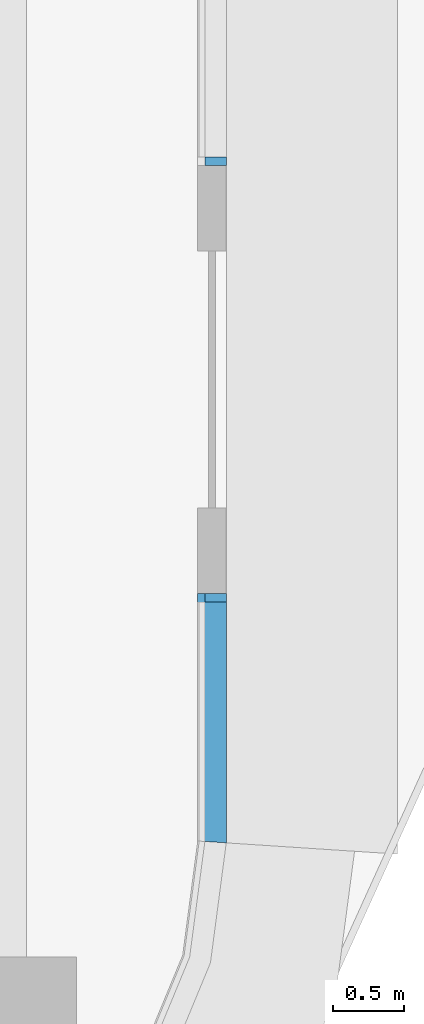
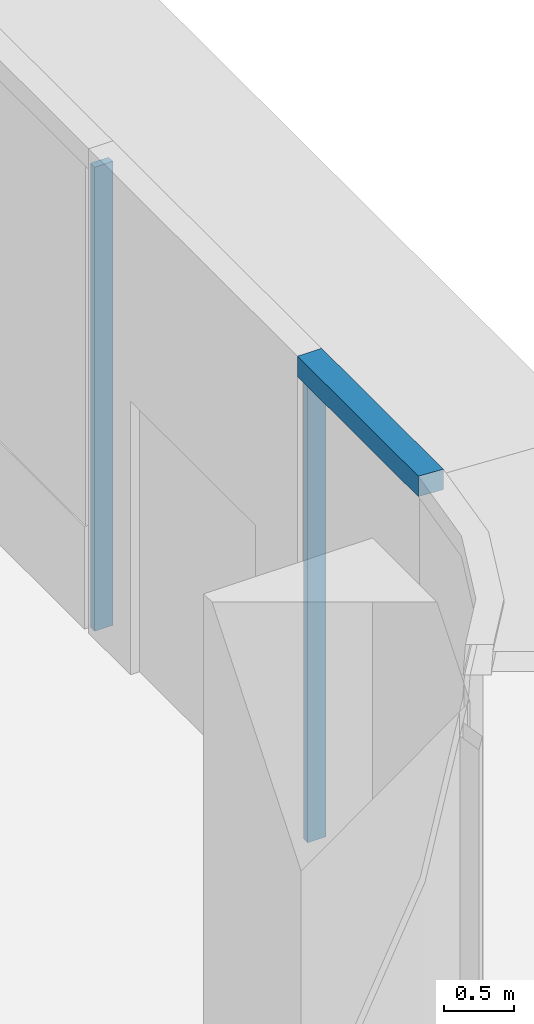
# One storey, part 13 of 22: 3 members, 2 elements without a shape of their own.
"""IFC4 building model written with IfcOpenShell, lengths in metres."""

from ifc_helpers import new_model, si_unit, direction, frame, origin, origin_2d, place, context, subcontext, project, spatial, polyline, rectangle, outline, extrude, source, transform, mapped, material, layer, layer_set, material_profile, profile_set, type_object, element, aggregate, save


model = new_model("IFC4")

# Units and contexts
model_context = context("Model", 3, precision=1e-05, world=origin(), true_north=direction((0.0, 1.0)))
body_context = subcontext(model_context, "Body", "Model", "MODEL_VIEW")
ifc_project = project(units=[si_unit("LENGTHUNIT", "METRE"), si_unit("AREAUNIT", "SQUARE_METRE"), si_unit("VOLUMEUNIT", "CUBIC_METRE"), si_unit("PLANEANGLEUNIT", "RADIAN"), si_unit("MASSUNIT", "GRAM", prefix="KILO")], contexts=[model_context])

# Site, building, storey
site_placement = place(None, origin())
site = spatial("IfcSite", under=ifc_project, at=site_placement, CompositionType="ELEMENT")
building_placement = place(site_placement, origin())
building = spatial("IfcBuilding", under=site, at=building_placement, Name="Trellis Farm Tower", CompositionType="ELEMENT")
storey_placement = place(building_placement, frame((0.0, 0.0, 38.5)))
storey = spatial("IfcBuildingStorey", under=building, at=storey_placement, Name="L07", CompositionType="ELEMENT", Elevation=38.5)

# Curtain wall, member
ifc_material_1 = material(Name="Aluminium and glass curtain wall", Category="aluminium")
ifc_layer_1 = layer(ifc_material_1, 0.18994140625)
ifc_layer_set_1 = layer_set([ifc_layer_1], Name="RIBBON CURTAIN WALL CW1")
curtain_wall_type = type_object("IfcCurtainWallType", Name="RIBBON CURTAIN WALL CW1", PredefinedType="NOTDEFINED", material=ifc_layer_set_1)
placement = place(storey_placement, origin())
curtain_wall_1 = element("IfcCurtainWall", 1, at=placement, inside=storey, type_object=curtain_wall_type, Name="CW1 006", PredefinedType="NOTDEFINED")
ifc_material_2 = material(Name="Aluminium extrusion 6063-T6", Category="aluminium")
ifc_material_profile = material_profile(ifc_material_2, rectangle(XDim=0.06005859375, YDim=0.14990234375, at=origin_2d()), Name="MULLION 60x150")
ifc_profile_set = profile_set([ifc_material_profile], Name="Aluminium extrusion 6063-T6")
member_type_1 = type_object("IfcMemberType", Name="CW1 MULLION 60x150", PredefinedType="MULLION", material=ifc_profile_set)
shared_shape_1 = source(origin(), body_context, "Body", "SweptSolid", [
    extrude(rectangle(XDim=0.06005859375, YDim=0.14990234375, at=origin_2d()), origin(), (0.0, 0.0, 1.0), 4.070068359375),
])
member_1_placement = place(storey_placement, frame((32.425048828125, -1.530029296875, 0.0), z_axis=(0.0, 0.0, 1.0), x_axis=(0.0, 1.0, 0.0)))
member_1 = element("IfcMember", 2, at=member_1_placement, type_object=member_type_1, Name="MU1 006-01", PredefinedType="MULLION", context=body_context, shape_type="MappedRepresentation", body=[
    mapped(shared_shape_1, transform((0.0, 0.0, 0.0))),
])

curtain_wall_2 = element("IfcCurtainWall", 3, at=placement, inside=storey, type_object=curtain_wall_type, Name="CW1 007", PredefinedType="NOTDEFINED")
member_2_placement = place(storey_placement, frame((32.425048828125, 1.530029296875, 0.0), z_axis=(0.0, 0.0, 1.0), x_axis=(0.0, 1.0, 0.0)))
member_2 = element("IfcMember", 4, at=member_2_placement, type_object=member_type_1, Name="MU1 007-01", PredefinedType="MULLION", context=body_context, shape_type="MappedRepresentation", body=[
    mapped(shared_shape_1, transform((0.0, 0.0, 0.0))),
])
aggregate(curtain_wall_2, [member_2])

# Member
ifc_layer_2 = layer(ifc_material_2, 0.199951171875)
ifc_layer_set_2 = layer_set([ifc_layer_2], Name="Aluminium extrusion 6063-T6")
member_type_2 = type_object("IfcMemberType", Name="CW1 TRANSOM 200x180", PredefinedType="USERDEFINED", material=ifc_layer_set_2)
shared_shape_2 = source(origin(), body_context, "Body", "SweptSolid", [
    extrude(outline(polyline([(32.5, -3.25), (32.5, -1.5), (32.300048828125, -1.5), (32.300048828125, -3.23681640625), (32.5, -3.25)])), origin(), (0.0, 0.0, 1.0), 0.179931640625),
])
member_3_placement = place(storey_placement, frame((0.0, 0.0, 4.070068359375)))
member_3 = element("IfcMember", 5, at=member_3_placement, type_object=member_type_2, Name="TR1 006", ObjectType="TRANSOM", PredefinedType="USERDEFINED", context=body_context, shape_type="MappedRepresentation", body=[
    mapped(shared_shape_2, transform((0.0, 0.0, 0.0))),
])

aggregate(curtain_wall_1, [member_1, member_3])

save(model, "model.ifc")
